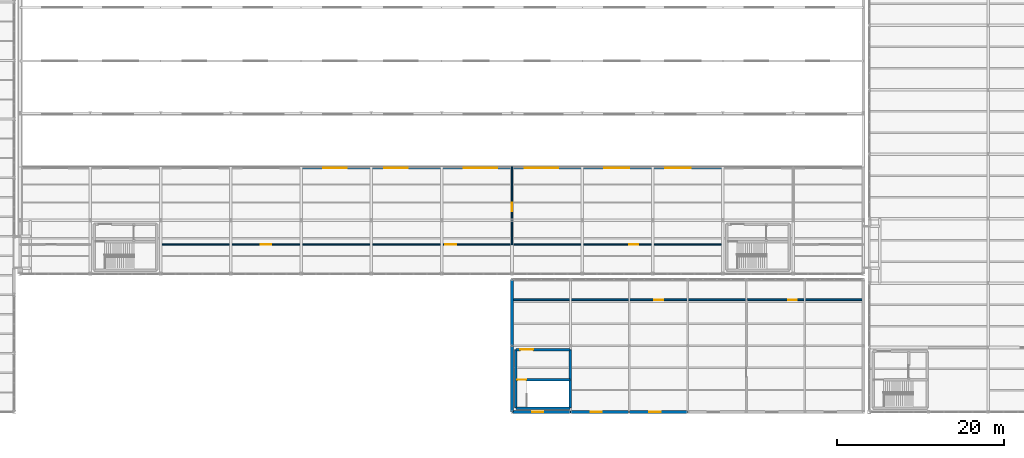
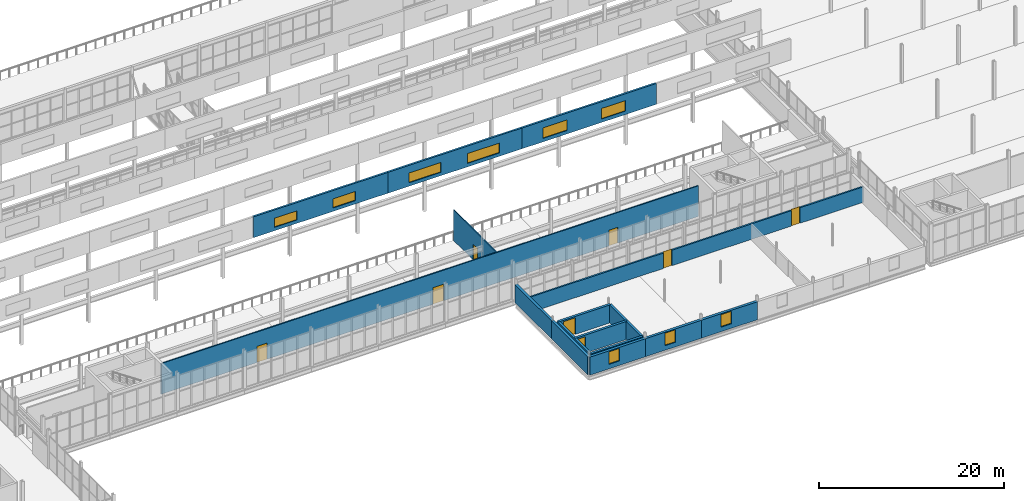
# One storey, part 200 of 218: 16 walls, 9 windows, 8 doors, 17 openings.
"""IFC4 building model written with IfcOpenShell, lengths in metres."""

from ifc_helpers import new_model, si_unit, direction, frame, frame_2d, origin, place, context, subcontext, project, spatial, rectangle, extrude, material, layer, layer_set, type_object, element, fill, save


model = new_model("IFC4")

# Units and contexts
model_context = context("Model", 3, precision=1e-05, world=origin(), true_north=direction((0.0, 1.0)))
body_context = subcontext(model_context, "Body", "Model", "MODEL_VIEW")
ifc_project = project(units=[si_unit("LENGTHUNIT", "METRE"), si_unit("AREAUNIT", "SQUARE_METRE"), si_unit("VOLUMEUNIT", "CUBIC_METRE"), si_unit("PLANEANGLEUNIT", "RADIAN"), si_unit("MASSUNIT", "GRAM", prefix="KILO")], contexts=[model_context])

# Site, building, storey
site_placement = place(None, origin())
site = spatial("IfcSite", under=ifc_project, at=site_placement, CompositionType="ELEMENT")
building_placement = place(site_placement, origin())
building = spatial("IfcBuilding", under=site, at=building_placement, Name="Kazenagashi Tramway Depot", CompositionType="ELEMENT")
storey_placement = place(building_placement, frame((0.0, 0.0, 6.0)))
storey = spatial("IfcBuildingStorey", under=building, at=storey_placement, Name="L02", CompositionType="ELEMENT", Elevation=6.0)

# Wall, opening, window
ifc_material_1 = material(Name="Clay Brick Masonry JIS R 1250 Class 1 (20 MPa)", Category="masonry")
ifc_layer_1 = layer(ifc_material_1, 0.32)
ifc_layer_set_1 = layer_set([ifc_layer_1], Name="Clay Brick Masonry JIS R 1250 Class 1 (20 MPa)")
wall_type_1 = type_object("IfcWallType", Name="W-BK3", PredefinedType="SOLIDWALL", material=ifc_layer_set_1)
wall_1_placement = place(storey_placement, frame((103.6, 0.0, 0.0), z_axis=(0.0, 0.0, 1.0), x_axis=(1.0, 0.0, 0.0)))
wall_1 = element("IfcWall", 1, at=wall_1_placement, inside=storey, type_object=wall_type_1, Name="Exterior Brick Wall W-BK3 EWALL-0278", PredefinedType="SOLIDWALL", context=body_context, shape_type="SweptSolid", body=[
    extrude(rectangle(XDim=7.0, YDim=0.32, at=frame_2d((3.5, 0.0))), origin(), (0.0, 0.0, 1.0), 2.38),
])
opening_1_placement = place(wall_1_placement, frame((2.4, 0.0, 0.6)))
opening_1 = element("IfcOpeningElement", 2, at=opening_1_placement, cuts=wall_1, Name="Opening WN-17", PredefinedType="OPENING", context=body_context, shape_type="SweptSolid", body=[
    extrude(rectangle(XDim=1.35, YDim=1.65, at=frame_2d((0.675, 0.825))), frame((0.0, 0.17, 0.0), z_axis=(0.0, -1.0, 0.0), x_axis=(1.0, 0.0, 0.0)), (0.0, 0.0, 1.0), 0.34),
])
ifc_material_2 = material(Name="Anodised Aluminium and Tempered Low-E Glass", Category="aluminium")
window_type_1 = type_object("IfcWindowType", Name="WN-17", PartitioningType="SINGLE_PANEL", PredefinedType="WINDOW", material=ifc_material_2)
window_1_placement = place(opening_1_placement, origin())
window_1 = element("IfcWindow", 3, at=window_1_placement, inside=storey, type_object=window_type_1, Name="Window WN-17 WIN-0245", OverallHeight=1.65, OverallWidth=1.35, PartitioningType="SINGLE_PANEL", PredefinedType="WINDOW", context=body_context, shape_type="SweptSolid", body=[
    extrude(rectangle(XDim=1.35, YDim=1.65, at=frame_2d((0.675, 0.825))), frame((0.0, 0.03, 0.0), z_axis=(0.0, -1.0, 0.0), x_axis=(1.0, 0.0, 0.0)), (0.0, 0.0, 1.0), 0.06),
])
fill(opening_1, window_1)

wall_2_placement = place(storey_placement, frame((110.6, 0.0, 0.0), z_axis=(0.0, 0.0, 1.0), x_axis=(1.0, 0.0, 0.0)))
wall_2 = element("IfcWall", 4, at=wall_2_placement, inside=storey, type_object=wall_type_1, Name="Exterior Brick Wall W-BK3 EWALL-0280", PredefinedType="SOLIDWALL", context=body_context, shape_type="SweptSolid", body=[
    extrude(rectangle(XDim=7.0, YDim=0.32, at=frame_2d((3.5, 0.0))), origin(), (0.0, 0.0, 1.0), 2.38),
])
opening_2_placement = place(wall_2_placement, frame((2.4, 0.0, 0.6)))
opening_2 = element("IfcOpeningElement", 5, at=opening_2_placement, cuts=wall_2, Name="Opening WN-17", PredefinedType="OPENING", context=body_context, shape_type="SweptSolid", body=[
    extrude(rectangle(XDim=1.35, YDim=1.65, at=frame_2d((0.675, 0.825))), frame((0.0, 0.17, 0.0), z_axis=(0.0, -1.0, 0.0), x_axis=(1.0, 0.0, 0.0)), (0.0, 0.0, 1.0), 0.34),
])
window_2_placement = place(opening_2_placement, origin())
window_2 = element("IfcWindow", 6, at=window_2_placement, inside=storey, type_object=window_type_1, Name="Window WN-17 WIN-0246", OverallHeight=1.65, OverallWidth=1.35, PartitioningType="SINGLE_PANEL", PredefinedType="WINDOW", context=body_context, shape_type="SweptSolid", body=[
    extrude(rectangle(XDim=1.35, YDim=1.65, at=frame_2d((0.675, 0.825))), frame((0.0, 0.03, 0.0), z_axis=(0.0, -1.0, 0.0), x_axis=(1.0, 0.0, 0.0)), (0.0, 0.0, 1.0), 0.06),
])
fill(opening_2, window_2)

wall_3_placement = place(storey_placement, frame((117.6, 0.0, 0.0), z_axis=(0.0, 0.0, 1.0), x_axis=(1.0, 0.0, 0.0)))
wall_3 = element("IfcWall", 7, at=wall_3_placement, inside=storey, type_object=wall_type_1, Name="Exterior Brick Wall W-BK3 EWALL-0282", PredefinedType="SOLIDWALL", context=body_context, shape_type="SweptSolid", body=[
    extrude(rectangle(XDim=7.0, YDim=0.32, at=frame_2d((3.5, 0.0))), origin(), (0.0, 0.0, 1.0), 2.38),
])
opening_3_placement = place(wall_3_placement, frame((2.4, 0.0, 0.6)))
opening_3 = element("IfcOpeningElement", 8, at=opening_3_placement, cuts=wall_3, Name="Opening WN-17", PredefinedType="OPENING", context=body_context, shape_type="SweptSolid", body=[
    extrude(rectangle(XDim=1.35, YDim=1.65, at=frame_2d((0.675, 0.825))), frame((0.0, 0.17, 0.0), z_axis=(0.0, -1.0, 0.0), x_axis=(1.0, 0.0, 0.0)), (0.0, 0.0, 1.0), 0.34),
])
window_3_placement = place(opening_3_placement, origin())
window_3 = element("IfcWindow", 9, at=window_3_placement, inside=storey, type_object=window_type_1, Name="Window WN-17 WIN-0247", OverallHeight=1.65, OverallWidth=1.35, PartitioningType="SINGLE_PANEL", PredefinedType="WINDOW", context=body_context, shape_type="SweptSolid", body=[
    extrude(rectangle(XDim=1.35, YDim=1.65, at=frame_2d((0.675, 0.825))), frame((0.0, 0.03, 0.0), z_axis=(0.0, -1.0, 0.0), x_axis=(1.0, 0.0, 0.0)), (0.0, 0.0, 1.0), 0.06),
])
fill(opening_3, window_3)

# Walls
for number, where, z_axis, x_axis, name in (
    (10, (103.6, 0.0, 0.0), (0.0, 0.0, 1.0), (0.0, 1.0, 0.0), "Exterior Brick Wall W-BK3 EWALL-0290"),
    (11, (103.6, 7.9, 0.0), (0.0, 0.0, 1.0), (0.0, 1.0, 0.0), "Exterior Brick Wall W-BK3 EWALL-0292"),
):
    element("IfcWall", number, at=place(storey_placement, frame(where, z_axis=z_axis, x_axis=x_axis)), inside=storey, type_object=wall_type_1, Name=name, PredefinedType="SOLIDWALL", context=body_context, shape_type="SweptSolid", body=[
        extrude(rectangle(XDim=7.9, YDim=0.32, at=frame_2d((3.95, 0.0))), origin(), (0.0, 0.0, 1.0), 2.38),
    ])

# Wall, openings, windows
ifc_material_3 = material(Name="Galvanised Steel Sheet Insulated Monitor Wall", Category="steel")
ifc_layer_2 = layer(ifc_material_3, 0.24)
ifc_layer_set_2 = layer_set([ifc_layer_2], Name="Galvanised Steel Sheet Insulated Monitor Wall")
wall_type_2 = type_object("IfcWallType", Name="W-MN1", PredefinedType="SOLIDWALL", material=ifc_layer_set_2)
wall_4_placement = place(storey_placement, frame((78.4, 29.16, 9.3), z_axis=(0.0, 0.0, 1.0), x_axis=(1.0, 0.0, 0.0)))
wall_4 = element("IfcWall", 12, at=wall_4_placement, inside=storey, type_object=wall_type_2, Name="Exterior Brick Wall W-MN1 EWALL-0127", PredefinedType="SOLIDWALL", context=body_context, shape_type="SweptSolid", body=[
    extrude(rectangle(XDim=16.8, YDim=0.24, at=frame_2d((8.4, 0.0))), origin(), (0.0, 0.0, 1.0), 2.75),
])
opening_4_placement = place(wall_4_placement, frame((2.64, 0.0, 0.45)))
opening_4 = element("IfcOpeningElement", 13, at=opening_4_placement, cuts=wall_4, Name="Opening SK-05", PredefinedType="OPENING", context=body_context, shape_type="SweptSolid", body=[
    extrude(rectangle(XDim=2.8, YDim=1.2, at=frame_2d((1.4, 0.6))), frame((0.0, 0.13, 0.0), z_axis=(0.0, -1.0, 0.0), x_axis=(1.0, 0.0, 0.0)), (0.0, 0.0, 1.0), 0.26),
])
opening_5_placement = place(wall_4_placement, frame((9.94, 0.0, 0.45)))
opening_5 = element("IfcOpeningElement", 14, at=opening_5_placement, cuts=wall_4, Name="Opening SK-05", PredefinedType="OPENING", context=body_context, shape_type="SweptSolid", body=[
    extrude(rectangle(XDim=2.8, YDim=1.2, at=frame_2d((1.4, 0.6))), frame((0.0, 0.13, 0.0), z_axis=(0.0, -1.0, 0.0), x_axis=(1.0, 0.0, 0.0)), (0.0, 0.0, 1.0), 0.26),
])
ifc_material_4 = material(Name="Wired Fire-Rated Glass and Aluminium Frame", Category="aluminium")
window_type_2 = type_object("IfcWindowType", Name="SK-05", PartitioningType="SINGLE_PANEL", PredefinedType="SKYLIGHT", material=ifc_material_4)
window_4_placement = place(opening_4_placement, origin())
window_4 = element("IfcWindow", 15, at=window_4_placement, inside=storey, type_object=window_type_2, Name="Window SK-05 WIN-0098", OverallHeight=1.2, OverallWidth=2.8, PartitioningType="SINGLE_PANEL", PredefinedType="SKYLIGHT", context=body_context, shape_type="SweptSolid", body=[
    extrude(rectangle(XDim=2.8, YDim=1.2, at=frame_2d((1.4, 0.6))), frame((0.0, 0.03, 0.0), z_axis=(0.0, -1.0, 0.0), x_axis=(1.0, 0.0, 0.0)), (0.0, 0.0, 1.0), 0.06),
])
fill(opening_4, window_4)
window_5_placement = place(opening_5_placement, origin())
window_5 = element("IfcWindow", 16, at=window_5_placement, inside=storey, type_object=window_type_2, Name="Window SK-05 WIN-0099", OverallHeight=1.2, OverallWidth=2.8, PartitioningType="SINGLE_PANEL", PredefinedType="SKYLIGHT", context=body_context, shape_type="SweptSolid", body=[
    extrude(rectangle(XDim=2.8, YDim=1.2, at=frame_2d((1.4, 0.6))), frame((0.0, 0.03, 0.0), z_axis=(0.0, -1.0, 0.0), x_axis=(1.0, 0.0, 0.0)), (0.0, 0.0, 1.0), 0.06),
])
fill(opening_5, window_5)

wall_5_placement = place(storey_placement, frame((95.2, 29.16, 9.3), z_axis=(0.0, 0.0, 1.0), x_axis=(1.0, 0.0, 0.0)))
wall_5 = element("IfcWall", 17, at=wall_5_placement, inside=storey, type_object=wall_type_2, Name="Exterior Brick Wall W-MN1 EWALL-0128", PredefinedType="SOLIDWALL", context=body_context, shape_type="SweptSolid", body=[
    extrude(rectangle(XDim=16.8, YDim=0.24, at=frame_2d((8.4, 0.0))), origin(), (0.0, 0.0, 1.0), 2.75),
])
opening_6_placement = place(wall_5_placement, frame((2.64, 0.0, 0.45)))
opening_6 = element("IfcOpeningElement", 18, at=opening_6_placement, cuts=wall_5, Name="Opening SK-07", PredefinedType="OPENING", context=body_context, shape_type="SweptSolid", body=[
    extrude(rectangle(XDim=4.0, YDim=1.3, at=frame_2d((2.0, 0.65))), frame((0.0, 0.13, 0.0), z_axis=(0.0, -1.0, 0.0), x_axis=(1.0, 0.0, 0.0)), (0.0, 0.0, 1.0), 0.26),
])
opening_7_placement = place(wall_5_placement, frame((9.94, 0.0, 0.45)))
opening_7 = element("IfcOpeningElement", 19, at=opening_7_placement, cuts=wall_5, Name="Opening SK-07", PredefinedType="OPENING", context=body_context, shape_type="SweptSolid", body=[
    extrude(rectangle(XDim=4.0, YDim=1.3, at=frame_2d((2.0, 0.65))), frame((0.0, 0.13, 0.0), z_axis=(0.0, -1.0, 0.0), x_axis=(1.0, 0.0, 0.0)), (0.0, 0.0, 1.0), 0.26),
])
window_type_3 = type_object("IfcWindowType", Name="SK-07", PartitioningType="SINGLE_PANEL", PredefinedType="SKYLIGHT", material=ifc_material_4)
window_6_placement = place(opening_6_placement, origin())
window_6 = element("IfcWindow", 20, at=window_6_placement, inside=storey, type_object=window_type_3, Name="Window SK-07 WIN-0100", OverallHeight=1.3, OverallWidth=4.0, PartitioningType="SINGLE_PANEL", PredefinedType="SKYLIGHT", context=body_context, shape_type="SweptSolid", body=[
    extrude(rectangle(XDim=4.0, YDim=1.3, at=frame_2d((2.0, 0.65))), frame((0.0, 0.03, 0.0), z_axis=(0.0, -1.0, 0.0), x_axis=(1.0, 0.0, 0.0)), (0.0, 0.0, 1.0), 0.06),
])
fill(opening_6, window_6)
window_7_placement = place(opening_7_placement, origin())
window_7 = element("IfcWindow", 21, at=window_7_placement, inside=storey, type_object=window_type_3, Name="Window SK-07 WIN-0101", OverallHeight=1.3, OverallWidth=4.0, PartitioningType="SINGLE_PANEL", PredefinedType="SKYLIGHT", context=body_context, shape_type="SweptSolid", body=[
    extrude(rectangle(XDim=4.0, YDim=1.3, at=frame_2d((2.0, 0.65))), frame((0.0, 0.03, 0.0), z_axis=(0.0, -1.0, 0.0), x_axis=(1.0, 0.0, 0.0)), (0.0, 0.0, 1.0), 0.06),
])
fill(opening_7, window_7)

wall_6_placement = place(storey_placement, frame((112.0, 29.16, 9.3), z_axis=(0.0, 0.0, 1.0), x_axis=(1.0, 0.0, 0.0)))
wall_6 = element("IfcWall", 22, at=wall_6_placement, inside=storey, type_object=wall_type_2, Name="Exterior Brick Wall W-MN1 EWALL-0129", PredefinedType="SOLIDWALL", context=body_context, shape_type="SweptSolid", body=[
    extrude(rectangle(XDim=16.8, YDim=0.24, at=frame_2d((8.4, 0.0))), origin(), (0.0, 0.0, 1.0), 2.75),
])
opening_8_placement = place(wall_6_placement, frame((2.64, 0.0, 0.45)))
opening_8 = element("IfcOpeningElement", 23, at=opening_8_placement, cuts=wall_6, Name="Opening SK-01", PredefinedType="OPENING", context=body_context, shape_type="SweptSolid", body=[
    extrude(rectangle(XDim=3.0, YDim=1.4, at=frame_2d((1.5, 0.7))), frame((0.0, 0.13, 0.0), z_axis=(0.0, -1.0, 0.0), x_axis=(1.0, 0.0, 0.0)), (0.0, 0.0, 1.0), 0.26),
])
opening_9_placement = place(wall_6_placement, frame((9.94, 0.0, 0.45)))
opening_9 = element("IfcOpeningElement", 24, at=opening_9_placement, cuts=wall_6, Name="Opening SK-01", PredefinedType="OPENING", context=body_context, shape_type="SweptSolid", body=[
    extrude(rectangle(XDim=3.0, YDim=1.4, at=frame_2d((1.5, 0.7))), frame((0.0, 0.13, 0.0), z_axis=(0.0, -1.0, 0.0), x_axis=(1.0, 0.0, 0.0)), (0.0, 0.0, 1.0), 0.26),
])
window_type_4 = type_object("IfcWindowType", Name="SK-01", PartitioningType="SINGLE_PANEL", PredefinedType="SKYLIGHT", material=ifc_material_4)
window_8_placement = place(opening_8_placement, origin())
window_8 = element("IfcWindow", 25, at=window_8_placement, inside=storey, type_object=window_type_4, Name="Window SK-01 WIN-0102", OverallHeight=1.4, OverallWidth=3.0, PartitioningType="SINGLE_PANEL", PredefinedType="SKYLIGHT", context=body_context, shape_type="SweptSolid", body=[
    extrude(rectangle(XDim=3.0, YDim=1.4, at=frame_2d((1.5, 0.7))), frame((0.0, 0.03, 0.0), z_axis=(0.0, -1.0, 0.0), x_axis=(1.0, 0.0, 0.0)), (0.0, 0.0, 1.0), 0.06),
])
fill(opening_8, window_8)
window_9_placement = place(opening_9_placement, origin())
window_9 = element("IfcWindow", 26, at=window_9_placement, inside=storey, type_object=window_type_4, Name="Window SK-01 WIN-0103", OverallHeight=1.4, OverallWidth=3.0, PartitioningType="SINGLE_PANEL", PredefinedType="SKYLIGHT", context=body_context, shape_type="SweptSolid", body=[
    extrude(rectangle(XDim=3.0, YDim=1.4, at=frame_2d((1.5, 0.7))), frame((0.0, 0.03, 0.0), z_axis=(0.0, -1.0, 0.0), x_axis=(1.0, 0.0, 0.0)), (0.0, 0.0, 1.0), 0.06),
])
fill(opening_9, window_9)

# Wall, openings, doors
ifc_material_5 = material(Name="Gypsum Plasterboard Partition", Category="gypsum")
ifc_layer_3 = layer(ifc_material_5, 0.15)
ifc_layer_set_3 = layer_set([ifc_layer_3], Name="Gypsum Plasterboard Partition")
wall_type_3 = type_object("IfcWallType", Name="W-PT1", PredefinedType="PARTITIONING", material=ifc_layer_set_3)
wall_7_placement = place(storey_placement, frame((61.6, 20.0, 0.0), z_axis=(0.0, 0.0, 1.0), x_axis=(1.0, 0.0, 0.0)))
wall_7 = element("IfcWall", 27, at=wall_7_placement, inside=storey, type_object=wall_type_3, Name="Interior Partition W-PT1 IWALL-0263", PredefinedType="PARTITIONING", context=body_context, shape_type="SweptSolid", body=[
    extrude(rectangle(XDim=67.2, YDim=0.15, at=frame_2d((33.6, 0.0))), origin(), (0.0, 0.0, 1.0), 4.05),
])
opening_10_placement = place(wall_7_placement, frame((12.0, 0.0, 0.0)))
opening_10 = element("IfcOpeningElement", 28, at=opening_10_placement, cuts=wall_7, Name="Opening D-167", PredefinedType="OPENING", context=body_context, shape_type="SweptSolid", body=[
    extrude(rectangle(XDim=1.25, YDim=2.15, at=frame_2d((0.625, 1.075))), frame((0.0, 0.085, 0.0), z_axis=(0.0, -1.0, 0.0), x_axis=(1.0, 0.0, 0.0)), (0.0, 0.0, 1.0), 0.17),
])
opening_11_placement = place(wall_7_placement, frame((34.0, 0.0, 0.0)))
opening_11 = element("IfcOpeningElement", 29, at=opening_11_placement, cuts=wall_7, Name="Opening D-168", PredefinedType="OPENING", context=body_context, shape_type="SweptSolid", body=[
    extrude(rectangle(XDim=1.35, YDim=2.2, at=frame_2d((0.675, 1.1))), frame((0.0, 0.085, 0.0), z_axis=(0.0, -1.0, 0.0), x_axis=(1.0, 0.0, 0.0)), (0.0, 0.0, 1.0), 0.17),
])
opening_12_placement = place(wall_7_placement, frame((56.0, 0.0, 0.0)))
opening_12 = element("IfcOpeningElement", 30, at=opening_12_placement, cuts=wall_7, Name="Opening D-169", PredefinedType="OPENING", context=body_context, shape_type="SweptSolid", body=[
    extrude(rectangle(XDim=1.1, YDim=2.1, at=frame_2d((0.55, 1.05))), frame((0.0, 0.085, 0.0), z_axis=(0.0, -1.0, 0.0), x_axis=(1.0, 0.0, 0.0)), (0.0, 0.0, 1.0), 0.17),
])
ifc_material_6 = material(Name="Powder-Coated Steel Door", Category="steel")
door_type_1 = type_object("IfcDoorType", Name="DT-12", OperationType="NOTDEFINED", PredefinedType="DOOR", material=ifc_material_6)
door_1_placement = place(opening_12_placement, origin())
door_1 = element("IfcDoor", 31, at=door_1_placement, inside=storey, type_object=door_type_1, Name="Interior Door D-169", OperationType="SINGLE_SWING_RIGHT", OverallHeight=2.1, OverallWidth=1.1, PredefinedType="DOOR", context=body_context, shape_type="SweptSolid", body=[
    extrude(rectangle(XDim=1.1, YDim=2.1, at=frame_2d((0.55, 1.05))), frame((0.0, 0.025, 0.0), z_axis=(0.0, -1.0, 0.0), x_axis=(1.0, 0.0, 0.0)), (0.0, 0.0, 1.0), 0.05),
])
fill(opening_12, door_1)
door_type_2 = type_object("IfcDoorType", Name="DT-14", OperationType="NOTDEFINED", PredefinedType="DOOR", material=ifc_material_6)
door_2_placement = place(opening_10_placement, origin())
door_2 = element("IfcDoor", 32, at=door_2_placement, inside=storey, type_object=door_type_2, Name="Interior Door D-167", OperationType="SINGLE_SWING_RIGHT", OverallHeight=2.15, OverallWidth=1.25, PredefinedType="DOOR", context=body_context, shape_type="SweptSolid", body=[
    extrude(rectangle(XDim=1.25, YDim=2.15, at=frame_2d((0.625, 1.075))), frame((0.0, 0.025, 0.0), z_axis=(0.0, -1.0, 0.0), x_axis=(1.0, 0.0, 0.0)), (0.0, 0.0, 1.0), 0.05),
])
fill(opening_10, door_2)
door_type_3 = type_object("IfcDoorType", Name="DT-15", OperationType="NOTDEFINED", PredefinedType="DOOR", material=ifc_material_6)
door_3_placement = place(opening_11_placement, origin())
door_3 = element("IfcDoor", 33, at=door_3_placement, inside=storey, type_object=door_type_3, Name="Interior Door D-168", OperationType="DOUBLE_DOOR_SINGLE_SWING", OverallHeight=2.2, OverallWidth=1.35, PredefinedType="DOOR", context=body_context, shape_type="SweptSolid", body=[
    extrude(rectangle(XDim=1.35, YDim=2.2, at=frame_2d((0.675, 1.1))), frame((0.0, 0.025, 0.0), z_axis=(0.0, -1.0, 0.0), x_axis=(1.0, 0.0, 0.0)), (0.0, 0.0, 1.0), 0.05),
])
fill(opening_11, door_3)

# Wall, opening, door
ifc_layer_4 = layer(ifc_material_5, 0.125)
ifc_layer_set_4 = layer_set([ifc_layer_4], Name="Gypsum Plasterboard Partition")
wall_type_4 = type_object("IfcWallType", Name="W-PT2", PredefinedType="PARTITIONING", material=ifc_layer_set_4)
wall_8_placement = place(storey_placement, frame((103.6, 20.0, 0.0), z_axis=(0.0, 0.0, 1.0), x_axis=(0.0, 1.0, 0.0)))
wall_8 = element("IfcWall", 34, at=wall_8_placement, inside=storey, type_object=wall_type_4, Name="Interior Partition W-PT2 IWALL-0264", PredefinedType="PARTITIONING", context=body_context, shape_type="SweptSolid", body=[
    extrude(rectangle(XDim=9.3, YDim=0.125, at=frame_2d((4.65, 0.0))), origin(), (0.0, 0.0, 1.0), 4.05),
])
opening_13_placement = place(wall_8_placement, frame((4.0, 0.0, 0.0)))
opening_13 = element("IfcOpeningElement", 35, at=opening_13_placement, cuts=wall_8, Name="Opening D-170", PredefinedType="OPENING", context=body_context, shape_type="SweptSolid", body=[
    extrude(rectangle(XDim=1.0, YDim=2.1, at=frame_2d((0.5, 1.05))), frame((0.0, 0.0725, 0.0), z_axis=(0.0, -1.0, 0.0), x_axis=(1.0, 0.0, 0.0)), (0.0, 0.0, 1.0), 0.145),
])
door_type_4 = type_object("IfcDoorType", Name="DT-10", OperationType="NOTDEFINED", PredefinedType="DOOR", material=ifc_material_6)
door_4_placement = place(opening_13_placement, origin())
door_4 = element("IfcDoor", 36, at=door_4_placement, inside=storey, type_object=door_type_4, Name="Interior Door D-170", OperationType="SINGLE_SWING_LEFT", OverallHeight=2.1, OverallWidth=1.0, PredefinedType="DOOR", context=body_context, shape_type="SweptSolid", body=[
    extrude(rectangle(XDim=1.0, YDim=2.1, at=frame_2d((0.5, 1.05))), frame((0.0, 0.025, 0.0), z_axis=(0.0, -1.0, 0.0), x_axis=(1.0, 0.0, 0.0)), (0.0, 0.0, 1.0), 0.05),
])
fill(opening_13, door_4)

# Wall, openings, doors
ifc_layer_5 = layer(ifc_material_5, 0.2)
ifc_layer_set_5 = layer_set([ifc_layer_5], Name="Gypsum Plasterboard Partition")
wall_type_5 = type_object("IfcWallType", Name="W-PT5", PredefinedType="PARTITIONING", material=ifc_layer_set_5)
wall_9_placement = place(storey_placement, frame((103.6, 13.4, 0.0), z_axis=(0.0, 0.0, 1.0), x_axis=(1.0, 0.0, 0.0)))
wall_9 = element("IfcWall", 37, at=wall_9_placement, inside=storey, type_object=wall_type_5, Name="Interior Partition W-PT5 IWALL-0273", PredefinedType="PARTITIONING", context=body_context, shape_type="SweptSolid", body=[
    extrude(rectangle(XDim=42.0, YDim=0.2, at=frame_2d((21.0, 0.0))), origin(), (0.0, 0.0, 1.0), 2.05),
])
opening_14_placement = place(wall_9_placement, frame((17.0, 0.0, 0.0)))
opening_14 = element("IfcOpeningElement", 38, at=opening_14_placement, cuts=wall_9, Name="Opening D-180", PredefinedType="OPENING", context=body_context, shape_type="SweptSolid", body=[
    extrude(rectangle(XDim=1.05, YDim=2.15, at=frame_2d((0.525, 1.075))), frame((0.0, 0.11, 0.0), z_axis=(0.0, -1.0, 0.0), x_axis=(1.0, 0.0, 0.0)), (0.0, 0.0, 1.0), 0.22),
])
opening_15_placement = place(wall_9_placement, frame((33.0, 0.0, 0.0)))
opening_15 = element("IfcOpeningElement", 39, at=opening_15_placement, cuts=wall_9, Name="Opening D-181", PredefinedType="OPENING", context=body_context, shape_type="SweptSolid", body=[
    extrude(rectangle(XDim=1.05, YDim=2.15, at=frame_2d((0.525, 1.075))), frame((0.0, 0.11, 0.0), z_axis=(0.0, -1.0, 0.0), x_axis=(1.0, 0.0, 0.0)), (0.0, 0.0, 1.0), 0.22),
])
ifc_material_7 = material(Name="Galvanised Fire-Rated Steel Door", Category="steel")
door_type_5 = type_object("IfcDoorType", Name="DT-07", OperationType="NOTDEFINED", PredefinedType="DOOR", material=ifc_material_7)
door_5_placement = place(opening_14_placement, origin())
door_5 = element("IfcDoor", 40, at=door_5_placement, inside=storey, type_object=door_type_5, Name="Interior Door D-180", OperationType="SINGLE_SWING_LEFT", OverallHeight=2.15, OverallWidth=1.05, PredefinedType="DOOR", context=body_context, shape_type="SweptSolid", body=[
    extrude(rectangle(XDim=1.05, YDim=2.15, at=frame_2d((0.525, 1.075))), frame((0.0, 0.025, 0.0), z_axis=(0.0, -1.0, 0.0), x_axis=(1.0, 0.0, 0.0)), (0.0, 0.0, 1.0), 0.05),
])
fill(opening_14, door_5)
door_6_placement = place(opening_15_placement, origin())
door_6 = element("IfcDoor", 41, at=door_6_placement, inside=storey, type_object=door_type_5, Name="Interior Door D-181", OperationType="SINGLE_SWING_RIGHT", OverallHeight=2.15, OverallWidth=1.05, PredefinedType="DOOR", context=body_context, shape_type="SweptSolid", body=[
    extrude(rectangle(XDim=1.05, YDim=2.15, at=frame_2d((0.525, 1.075))), frame((0.0, 0.025, 0.0), z_axis=(0.0, -1.0, 0.0), x_axis=(1.0, 0.0, 0.0)), (0.0, 0.0, 1.0), 0.05),
])
fill(opening_15, door_6)

# Wall
ifc_material_8 = material(Name="Concrete Fc36", Category="concrete")
ifc_layer_6 = layer(ifc_material_8, 0.3)
ifc_layer_set_6 = layer_set([ifc_layer_6], Name="Concrete Fc36")
wall_type_6 = type_object("IfcWallType", Name="W-RC1", PredefinedType="SHEAR", material=ifc_layer_set_6)
wall_10_placement = place(storey_placement, frame((104.06, 0.46, 0.0), z_axis=(0.0, 0.0, 1.0), x_axis=(1.0, 0.0, 0.0)))
element("IfcWall", 42, at=wall_10_placement, inside=storey, type_object=wall_type_6, Name="Core Shear Wall W-RC1 IWALL-0232", PredefinedType="SHEAR", context=body_context, shape_type="SweptSolid", body=[
    extrude(rectangle(XDim=6.48, YDim=0.3, at=frame_2d((3.24, 0.0))), origin(), (0.0, 0.0, 1.0), 2.38),
])

# Wall, opening, door
wall_11_placement = place(storey_placement, frame((104.06, 7.44, 0.0), z_axis=(0.0, 0.0, 1.0), x_axis=(1.0, 0.0, 0.0)))
wall_11 = element("IfcWall", 43, at=wall_11_placement, inside=storey, type_object=wall_type_6, Name="Core Shear Wall W-RC1 IWALL-0233", PredefinedType="SHEAR", context=body_context, shape_type="SweptSolid", body=[
    extrude(rectangle(XDim=6.48, YDim=0.3, at=frame_2d((3.24, 0.0))), origin(), (0.0, 0.0, 1.0), 2.38),
])
opening_16_placement = place(wall_11_placement, frame((0.55, 0.0, 0.0)))
opening_16 = element("IfcOpeningElement", 44, at=opening_16_placement, cuts=wall_11, Name="Opening D-129", PredefinedType="OPENING", context=body_context, shape_type="SweptSolid", body=[
    extrude(rectangle(XDim=1.5, YDim=2.2, at=frame_2d((0.75, 1.1))), frame((0.0, 0.16, 0.0), z_axis=(0.0, -1.0, 0.0), x_axis=(1.0, 0.0, 0.0)), (0.0, 0.0, 1.0), 0.32),
])
door_type_6 = type_object("IfcDoorType", Name="DT-05", OperationType="NOTDEFINED", PredefinedType="DOOR", material=ifc_material_7)
door_7_placement = place(opening_16_placement, origin())
door_7 = element("IfcDoor", 45, at=door_7_placement, inside=storey, type_object=door_type_6, Name="Interior Door D-129", OperationType="DOUBLE_DOOR_SINGLE_SWING", OverallHeight=2.2, OverallWidth=1.5, PredefinedType="DOOR", context=body_context, shape_type="SweptSolid", body=[
    extrude(rectangle(XDim=1.5, YDim=2.2, at=frame_2d((0.75, 1.1))), frame((0.0, 0.025, 0.0), z_axis=(0.0, -1.0, 0.0), x_axis=(1.0, 0.0, 0.0)), (0.0, 0.0, 1.0), 0.05),
])
fill(opening_16, door_7)

# Walls
for number, where, z_axis, x_axis, name in (
    (46, (104.06, 0.46, 0.0), (0.0, 0.0, 1.0), (0.0, 1.0, 0.0), "Core Shear Wall W-RC1 IWALL-0234"),
    (47, (110.54, 0.46, 0.0), (0.0, 0.0, 1.0), (0.0, 1.0, 0.0), "Core Shear Wall W-RC1 IWALL-0235"),
):
    element("IfcWall", number, at=place(storey_placement, frame(where, z_axis=z_axis, x_axis=x_axis)), inside=storey, type_object=wall_type_6, Name=name, PredefinedType="SHEAR", context=body_context, shape_type="SweptSolid", body=[
        extrude(rectangle(XDim=6.98, YDim=0.3, at=frame_2d((3.49, 0.0))), origin(), (0.0, 0.0, 1.0), 2.38),
    ])

# Wall, opening, door
wall_12_placement = place(storey_placement, frame((104.06, 3.85, 0.0), z_axis=(0.0, 0.0, 1.0), x_axis=(1.0, 0.0, 0.0)))
wall_12 = element("IfcWall", 48, at=wall_12_placement, inside=storey, type_object=wall_type_6, Name="Core Shear Wall W-RC1 IWALL-0236", PredefinedType="SHEAR", context=body_context, shape_type="SweptSolid", body=[
    extrude(rectangle(XDim=6.48, YDim=0.3, at=frame_2d((3.24, 0.0))), origin(), (0.0, 0.0, 1.0), 2.38),
])
opening_17_placement = place(wall_12_placement, frame((0.185, 0.0, 0.0)))
opening_17 = element("IfcOpeningElement", 49, at=opening_17_placement, cuts=wall_12, Name="Opening D-128", PredefinedType="OPENING", context=body_context, shape_type="SweptSolid", body=[
    extrude(rectangle(XDim=1.05, YDim=2.15, at=frame_2d((0.525, 1.075))), frame((0.0, 0.16, 0.0), z_axis=(0.0, -1.0, 0.0), x_axis=(1.0, 0.0, 0.0)), (0.0, 0.0, 1.0), 0.32),
])
door_8_placement = place(opening_17_placement, origin())
door_8 = element("IfcDoor", 50, at=door_8_placement, inside=storey, type_object=door_type_5, Name="Interior Door D-128", OperationType="SINGLE_SWING_LEFT", OverallHeight=2.15, OverallWidth=1.05, PredefinedType="DOOR", context=body_context, shape_type="SweptSolid", body=[
    extrude(rectangle(XDim=1.05, YDim=2.15, at=frame_2d((0.525, 1.075))), frame((0.0, 0.025, 0.0), z_axis=(0.0, -1.0, 0.0), x_axis=(1.0, 0.0, 0.0)), (0.0, 0.0, 1.0), 0.05),
])
fill(opening_17, door_8)

save(model, "model.ifc")
